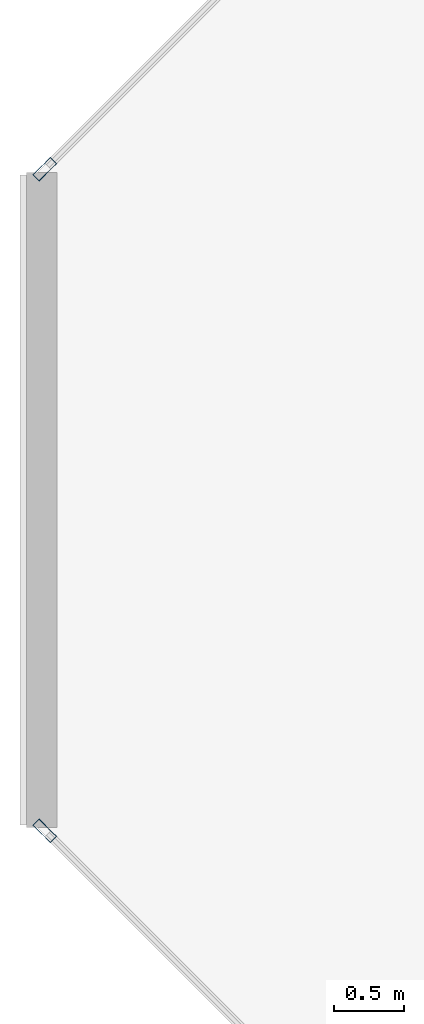
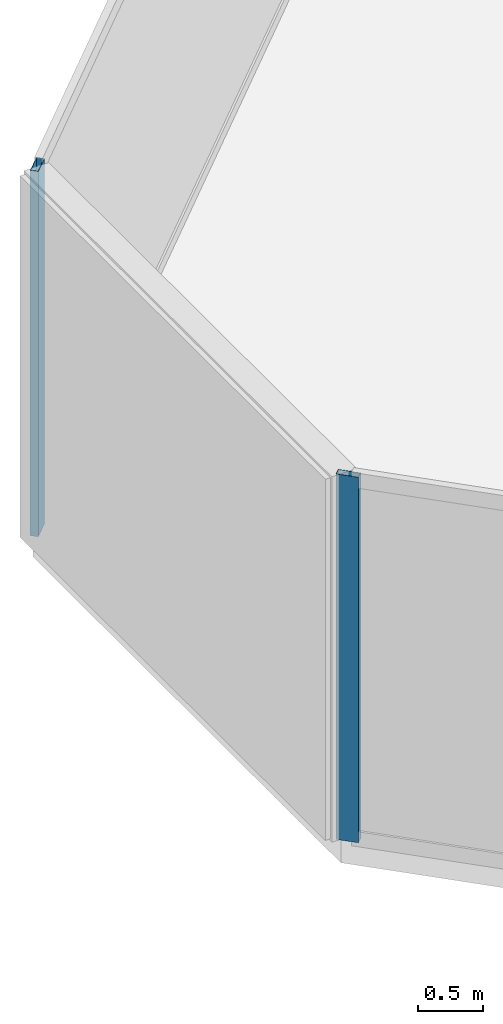
# One storey, part 4 of 16: 2 members, 2 elements without a shape of their own.
"""IFC4 building model written with IfcOpenShell, lengths in metres."""

from ifc_helpers import new_model, si_unit, direction, frame, origin, origin_2d, place, context, subcontext, project, spatial, hollow_rectangle, extrude, material, layer, layer_set, material_profile, profile_set, type_object, element, aggregate, save


model = new_model("IFC4")

# Units and contexts
model_context = context("Model", 3, precision=1e-05, world=origin(), true_north=direction((0.0, 1.0)))
body_context = subcontext(model_context, "Body", "Model", "MODEL_VIEW")
ifc_project = project(units=[si_unit("LENGTHUNIT", "METRE"), si_unit("AREAUNIT", "SQUARE_METRE"), si_unit("VOLUMEUNIT", "CUBIC_METRE"), si_unit("PLANEANGLEUNIT", "RADIAN"), si_unit("MASSUNIT", "GRAM", prefix="KILO")], contexts=[model_context])

# Site, building, storey
site_placement = place(None, origin())
site = spatial("IfcSite", under=ifc_project, at=site_placement, CompositionType="ELEMENT")
building_placement = place(site_placement, origin())
building = spatial("IfcBuilding", under=site, at=building_placement, Name="Tanjung Sevakor Pilgrim Tower", CompositionType="ELEMENT")
storey_placement = place(building_placement, frame((0.0, 0.0, 271.590087890625)))
storey = spatial("IfcBuildingStorey", under=building, at=storey_placement, Name="L76", CompositionType="ELEMENT", Elevation=271.590087890625)

# Curtain wall, member
ifc_material_1 = material(Name="Aluminium 6063-T6 and Low-E Glass", Category="aluminium")
ifc_layer = layer(ifc_material_1, 0.179931640625)
ifc_layer_set = layer_set([ifc_layer], Name="CW-SYS-CHAM")
curtain_wall_type = type_object("IfcCurtainWallType", Name="CW-SYS-CHAM", PredefinedType="NOTDEFINED", material=ifc_layer_set)
curtain_wall_1_placement = place(storey_placement, origin())
curtain_wall_1 = element("IfcCurtainWall", 1, at=curtain_wall_1_placement, inside=storey, type_object=curtain_wall_type, Name="L76 Curtain Wall CW-CHM-L76-EAST-5", PredefinedType="NOTDEFINED")
ifc_material_2 = material(Name="Aluminium 6063-T6", Category="aluminium")
ifc_material_profile = material_profile(ifc_material_2, hollow_rectangle(XDim=0.06494140625, YDim=0.179931640625, WallThickness=0.00390625, at=origin_2d()))
ifc_profile_set = profile_set([ifc_material_profile], Name="Aluminium 6063-T6")
member_type = type_object("IfcMemberType", Name="TYPE-CWM-1", PredefinedType="MULLION", material=ifc_profile_set)
member_1_placement = place(storey_placement, frame((52.23291015625, 35.977294921875, 0.0), z_axis=(0.0, 0.0, 1.0), x_axis=(0.707106781187, -0.707106781187, 0.0)))
member_1 = element("IfcMember", 2, at=member_1_placement, type_object=member_type, Name="CW-CHM mullion 2", PredefinedType="MULLION", context=body_context, shape_type="SweptSolid", body=[
    extrude(hollow_rectangle(XDim=0.06494140625, YDim=0.179931640625, WallThickness=0.00390625, at=origin_2d()), origin(), (0.0, 0.0, 1.0), 3.409912109375),
])
aggregate(curtain_wall_1, [member_1])

curtain_wall_2_placement = place(storey_placement, origin())
curtain_wall_2 = element("IfcCurtainWall", 3, at=curtain_wall_2_placement, inside=storey, type_object=curtain_wall_type, Name="L76 Curtain Wall CW-CHM-L76-EAST-7", PredefinedType="NOTDEFINED")
member_2_placement = place(storey_placement, frame((52.23291015625, 31.22265625, 0.0), z_axis=(0.0, 0.0, 1.0), x_axis=(0.707106781187, 0.707106781187, 0.0)))
member_2 = element("IfcMember", 4, at=member_2_placement, type_object=member_type, Name="CW-CHM mullion 1", PredefinedType="MULLION", context=body_context, shape_type="SweptSolid", body=[
    extrude(hollow_rectangle(XDim=0.06494140625, YDim=0.179931640625, WallThickness=0.00390625, at=origin_2d()), origin(), (0.0, 0.0, 1.0), 3.409912109375),
])
aggregate(curtain_wall_2, [member_2])

save(model, "model.ifc")
